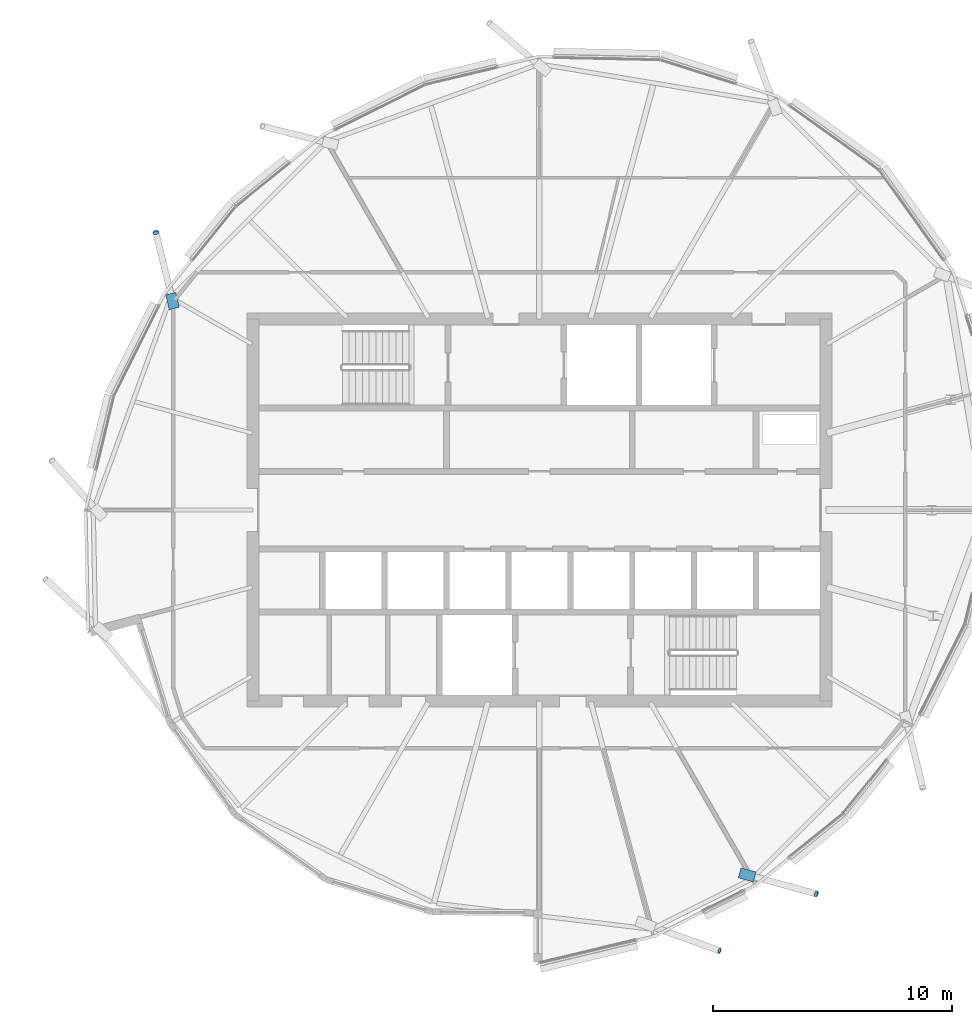
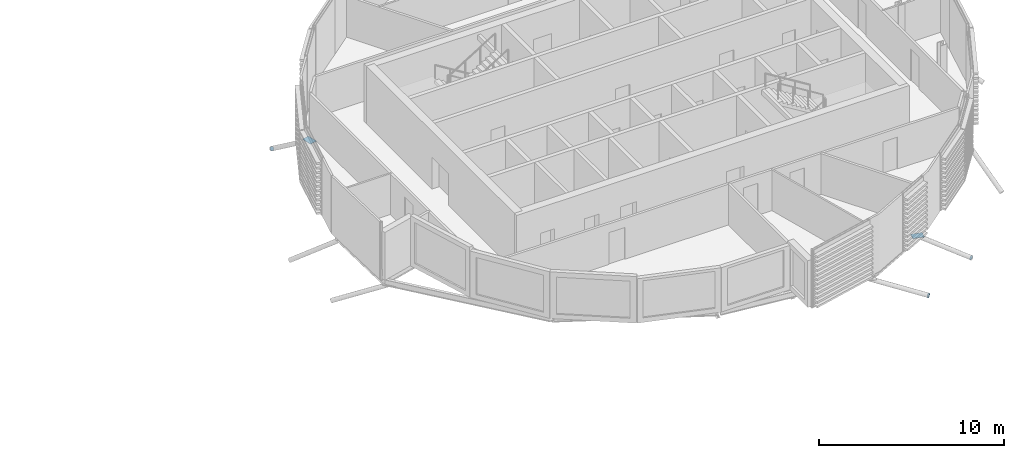
# One storey, part 27 of 34: 5 discrete accessories.
"""IFC4 building model written with IfcOpenShell, lengths in metres."""

from ifc_helpers import new_model, si_unit, direction, frame, origin, origin_2d, place, context, subcontext, project, spatial, polyline, rectangle, circle, outline, extrude, material, material_profile, profile_set, type_object, element, save


model = new_model("IFC4")

# Units and contexts
model_context = context("Model", 3, precision=1e-05, world=origin(), true_north=direction((0.0, 1.0)))
body_context = subcontext(model_context, "Body", "Model", "MODEL_VIEW")
ifc_project = project(units=[si_unit("LENGTHUNIT", "METRE"), si_unit("AREAUNIT", "SQUARE_METRE"), si_unit("VOLUMEUNIT", "CUBIC_METRE"), si_unit("PLANEANGLEUNIT", "RADIAN"), si_unit("MASSUNIT", "GRAM", prefix="KILO")], contexts=[model_context])

# Site, building, storey
site_placement = place(None, origin())
site = spatial("IfcSite", under=ifc_project, at=site_placement, CompositionType="ELEMENT")
building_placement = place(site_placement, origin())
building = spatial("IfcBuilding", under=site, at=building_placement, Name="Rimbun Link Towers", CompositionType="ELEMENT")
storey_placement = place(building_placement, frame((0.0, 0.0, 252.300048828125)))
storey = spatial("IfcBuildingStorey", under=building, at=storey_placement, Name="L62", CompositionType="ELEMENT", Elevation=252.300048828125)

# Discrete accessories
ifc_material_1 = material(Name="Steel S355J2H", Category="steel")
ifc_material_profile_1 = material_profile(ifc_material_1, circle(Radius=0.1240234375, at=origin_2d()), Name="PL D248")
ifc_profile_set_1 = profile_set([ifc_material_profile_1], Name="Steel S355J2H")
discrete_accessory_type_1 = type_object("IfcDiscreteAccessoryType", Name="Link foot sealing plate D248X20", PredefinedType="BRACKET", material=ifc_profile_set_1)
for number, where, z_axis, x_axis, name in (
    (1, (15.697265625, 11.61328125, -2.500732421875), (-0.183817456151, 0.796542309987, -0.575961362606), (-0.974391195695, -0.224859506699, 0.0), "Link foot sealing plate T2 L62 07"),
    (2, (39.288330078125, -18.44921875, -2.20556640625), (0.853151161482, -0.316884717122, -0.414387707005), (0.348186529604, 0.93742527201, 0.0), "Link foot sealing plate T2 L62 16"),
    (3, (43.334716796875, -16.066162109375, -2.582275390625), (0.806017635992, -0.219822991634, -0.549557479085), (0.263117405792, 0.964763821238, 0.0), "Link foot sealing plate T2 L62 17"),
):
    element("IfcDiscreteAccessory", number, at=place(storey_placement, frame(where, z_axis=z_axis, x_axis=x_axis)), inside=storey, type_object=discrete_accessory_type_1, Name=name, PredefinedType="BRACKET", context=body_context, shape_type="SweptSolid", body=[
        extrude(circle(Radius=0.1240234375, at=origin_2d()), origin(), (0.0, 0.0, 1.0), 0.02001953125),
    ])
ifc_material_2 = material(Name="Steel S355J2H", Category="steel")
ifc_material_profile_2 = material_profile(ifc_material_2, rectangle(XDim=0.43310546875, YDim=0.43310546875, at=origin_2d()), Name="PL 433x433")
ifc_profile_set_2 = profile_set([ifc_material_profile_2], Name="Steel S355J2H")
discrete_accessory_type_2 = type_object("IfcDiscreteAccessoryType", Name="Link head end plate 433X20", PredefinedType="BRACKET", material=ifc_profile_set_2)
discrete_accessory_1_placement = place(storey_placement, frame((0.0, 0.0, -0.46337890625)))
element("IfcDiscreteAccessory", 4, at=discrete_accessory_1_placement, inside=storey, type_object=discrete_accessory_type_2, Name="Link head end plate T2 L62 07", PredefinedType="BRACKET", context=body_context, shape_type="SweptSolid", body=[
    extrude(outline(polyline([(16.6748046875, 8.497802734375), (16.5244140625, 9.118896484375), (16.103515625, 9.01708984375), (16.25390625, 8.395751953125), (16.6748046875, 8.497802734375)])), origin(), (0.0, 0.0, 1.0), 0.02001953125),
])
discrete_accessory_2_placement = place(storey_placement, frame((0.0, 0.0, -0.613525390625)))
element("IfcDiscreteAccessory", 5, at=discrete_accessory_2_placement, inside=storey, type_object=discrete_accessory_type_2, Name="Link head end plate T2 L62 17", PredefinedType="BRACKET", context=body_context, shape_type="SweptSolid", body=[
    extrude(outline(polyline([(40.08056640625, -15.3984375), (40.713134765625, -15.572021484375), (40.82763671875, -15.154296875), (40.19482421875, -14.98095703125), (40.08056640625, -15.3984375)])), origin(), (0.0, 0.0, 1.0), 0.02001953125),
])

save(model, "model.ifc")
